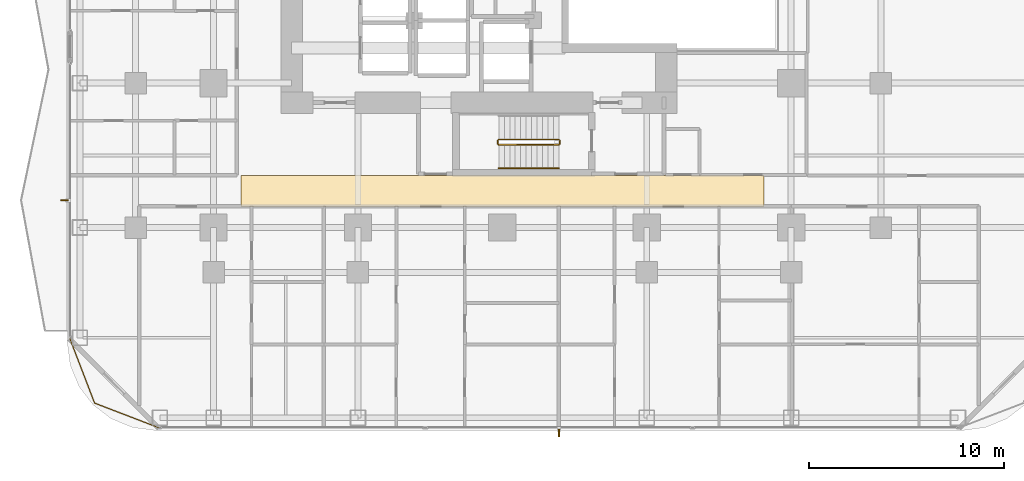
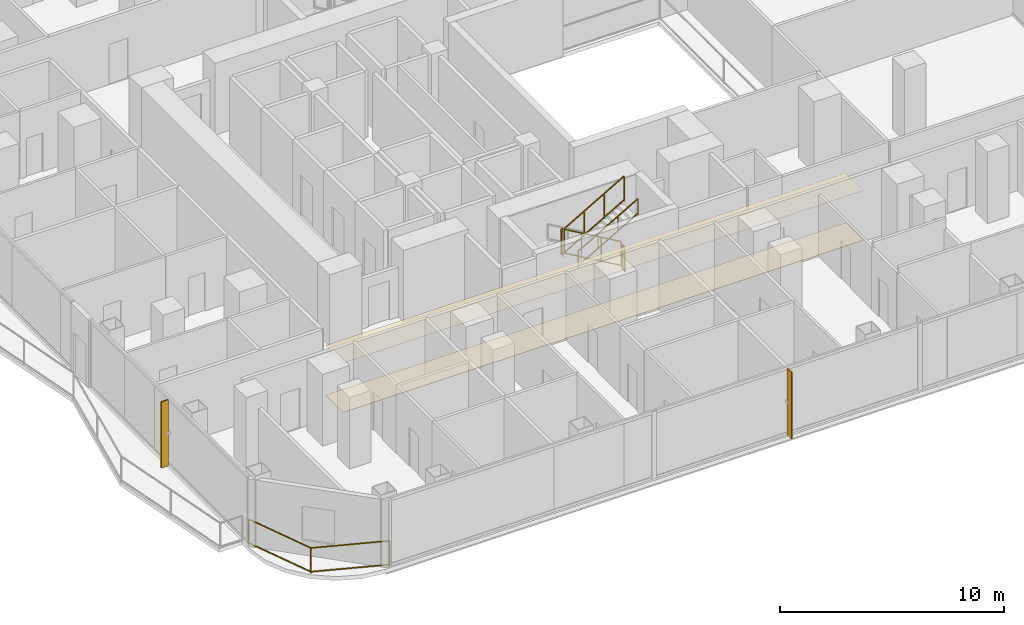
# One storey, part 26 of 30: 6 railings, 2 coverings, 2 shading devices.
"""IFC4 building model written with IfcOpenShell, lengths in metres."""

from ifc_helpers import new_model, si_unit, direction, frame, origin, origin_2d, place, context, subcontext, project, spatial, polyline, rectangle, outline, extrude, material, layer, layer_set, type_object, element, save


model = new_model("IFC4")

# Units and contexts
model_context = context("Model", 3, precision=1e-05, world=origin(), true_north=direction((0.0, 1.0)))
body_context = subcontext(model_context, "Body", "Model", "MODEL_VIEW")
ifc_project = project(units=[si_unit("LENGTHUNIT", "METRE"), si_unit("AREAUNIT", "SQUARE_METRE"), si_unit("VOLUMEUNIT", "CUBIC_METRE"), si_unit("PLANEANGLEUNIT", "RADIAN"), si_unit("MASSUNIT", "GRAM", prefix="KILO")], contexts=[model_context])

# Site, building, storey
site_placement = place(None, origin())
site = spatial("IfcSite", under=ifc_project, at=site_placement, CompositionType="ELEMENT")
building_placement = place(site_placement, origin())
building = spatial("IfcBuilding", under=site, at=building_placement, Name="Khorvyn Point Tower", CompositionType="ELEMENT")
storey_placement = place(building_placement, frame((0.0, 0.0, 30.60009765625)))
storey = spatial("IfcBuildingStorey", under=building, at=storey_placement, Name="L08", CompositionType="ELEMENT", Elevation=30.60009765625)

# Shading devices
ifc_material_1 = material(Name="Bronze anodised aluminium 6063-T6", Category="aluminium")
ifc_layer_1 = layer(ifc_material_1, 0.06494140625)
ifc_layer_set_1 = layer_set([ifc_layer_1], Name="Bronze Anodised Aluminium FIN 380x65")
shading_device_type = type_object("IfcShadingDeviceType", Name="Bronze Anodised Aluminium FIN 380x65", PredefinedType="USERDEFINED", material=ifc_layer_set_1)
for number, where, z_axis, x_axis, name in (
    (1, (2.89990234375, -25.330078125, 0.039794921875), (0.0, 0.0, 1.0), (0.0, -1.0, 0.0), "L08 Anodised FIN 01"),
    (2, (-22.429931640625, -13.406982421875, 0.039794921875), (0.0, 0.0, 1.0), (-1.0, 0.0, 0.0), "L08 Anodised FIN 01"),
):
    element("IfcShadingDevice", number, at=place(storey_placement, frame(where, z_axis=z_axis, x_axis=x_axis)), inside=storey, type_object=shading_device_type, Name=name, ObjectType="FIN", PredefinedType="USERDEFINED", context=body_context, shape_type="SweptSolid", body=[
        extrude(rectangle(XDim=0.3798828125, YDim=0.06494140625, at=origin_2d()), origin(), (0.0, 0.0, 1.0), 3.60009765625),
    ])

# Railing
ifc_material_2 = material(Name="Anodised aluminium 6063-T6 and laminated safety glass", Category="aluminium")
railing_type_1 = type_object("IfcRailingType", Name="Laminated Glass and Aluminium Balcony Guardrail 1400", PredefinedType="BALUSTRADE", material=ifc_material_2)
railing_1_placement = place(storey_placement, frame((-22.174072265625, -20.470703125, 0.0)))
element("IfcRailing", 3, at=railing_1_placement, inside=storey, type_object=railing_type_1, Name="L08 Rounded Corner Edge Guardrail SW", PredefinedType="BALUSTRADE", context=body_context, shape_type="SweptSolid", body=[
    extrude(rectangle(XDim=0.048095703125, YDim=0.048095703125, at=origin_2d()), frame((0.0, 0.0, 1.3759765625), z_axis=(0.358359142172, -0.933583807283, 0.0), x_axis=(0.933583807283, 0.358359142172, 0.0)), (0.0, 0.0, 1.0), 3.56298828125),
    extrude(rectangle(XDim=0.048095703125, YDim=0.048095703125, at=origin_2d()), frame((0.0, 0.0, 0.080078125), z_axis=(0.358359142172, -0.933583807283, 0.0), x_axis=(0.933583807283, 0.358359142172, 0.0)), (0.0, 0.0, 1.0), 3.56298828125),
    extrude(rectangle(XDim=0.048095703125, YDim=0.048095703125, at=origin_2d()), frame((1.27685546875, -3.326416015625, 1.3759765625), z_axis=(0.933583807283, -0.358359142172, 0.0), x_axis=(0.358359142172, 0.933583807283, 0.0)), (0.0, 0.0, 1.0), 3.56298828125),
    extrude(rectangle(XDim=0.048095703125, YDim=0.048095703125, at=origin_2d()), frame((1.27685546875, -3.326416015625, 0.080078125), z_axis=(0.933583807283, -0.358359142172, 0.0), x_axis=(0.358359142172, 0.933583807283, 0.0)), (0.0, 0.0, 1.0), 3.56298828125),
    extrude(rectangle(XDim=0.0419921875, YDim=0.0419921875, at=origin_2d()), origin(), (0.0, 0.0, 1.0), 1.351806640625),
    extrude(rectangle(XDim=0.0419921875, YDim=0.0419921875, at=origin_2d()), frame((1.27685546875, -3.326416015625, 0.0)), (0.0, 0.0, 1.0), 1.351806640625),
    extrude(rectangle(XDim=0.0419921875, YDim=0.0419921875, at=origin_2d()), frame((4.603271484375, -4.603271484375, 0.0)), (0.0, 0.0, 1.0), 1.351806640625),
])

# Coverings
ifc_material_3 = material(Name="Mineral-fibre acoustic ceiling board", Category="gypsum")
ifc_layer_2 = layer(ifc_material_3, 0.02001953125)
ifc_layer_set_2 = layer_set([ifc_layer_2], Name="Perforated Mineral-Fibre Acoustic Suspended Ceiling 20")
covering_type_1 = type_object("IfcCoveringType", Name="Perforated Mineral-Fibre Acoustic Suspended Ceiling 20", PredefinedType="CEILING", material=ifc_layer_set_2)
covering_1_placement = place(storey_placement, frame((0.0, 0.0, 2.699951171875)))
element("IfcCovering", 4, at=covering_1_placement, inside=storey, type_object=covering_type_1, Name="L08 South Corridor Acoustic Ceiling", PredefinedType="CEILING", context=body_context, shape_type="SweptSolid", body=[
    extrude(outline(polyline([(-13.39990234375, -13.7099609375), (13.39990234375, -13.7099609375), (13.39990234375, -12.139892578125), (-13.39990234375, -12.139892578125), (-13.39990234375, -13.7099609375)])), origin(), (0.0, 0.0, 1.0), 0.02001953125),
])
ifc_material_4 = material(Name="Vitrified porcelain terrazzo tile", Category="ceramic")
ifc_layer_3 = layer(ifc_material_4, 0.01806640625)
ifc_layer_set_3 = layer_set([ifc_layer_3], Name="Porcelain Terrazzo Corridor Floor Finish Tile 18")
covering_type_2 = type_object("IfcCoveringType", Name="Porcelain Terrazzo Corridor Floor Finish Tile 18", PredefinedType="FLOORING", material=ifc_layer_set_3)
covering_2_placement = place(storey_placement, origin())
element("IfcCovering", 5, at=covering_2_placement, inside=storey, type_object=covering_type_2, Name="L08 South Corridor Terrazzo Flooring", PredefinedType="FLOORING", context=body_context, shape_type="SweptSolid", body=[
    extrude(outline(polyline([(-13.39990234375, -13.7099609375), (13.39990234375, -13.7099609375), (13.39990234375, -12.139892578125), (-13.39990234375, -12.139892578125), (-13.39990234375, -13.7099609375)])), origin(), (0.0, 0.0, 1.0), 0.017822265625),
])

# Railings
ifc_material_5 = material(Name="Stainless steel 1.4301", Category="steel")
railing_type_2 = type_object("IfcRailingType", Name="Stainless Steel 304 Stair Pitch Handrail 900", PredefinedType="HANDRAIL", material=ifc_material_5)
railing_2_placement = place(storey_placement, frame((-0.179931640625, -11.77001953125, 2.1123046875)))
element("IfcRailing", 6, at=railing_2_placement, inside=storey, type_object=railing_type_2, Name="L08 ST-01 stair handrail 2", PredefinedType="HANDRAIL", context=body_context, shape_type="SweptSolid", body=[
    extrude(rectangle(XDim=0.048095703125, YDim=0.048095703125, at=origin_2d()), frame((0.0, 0.0, 0.8759765625), z_axis=(0.864873446163, 0.0, 0.501989962173), x_axis=(0.0, 1.0, 0.0)), (0.0, 0.0, 1.0), 3.56103515625),
    extrude(rectangle(XDim=0.048095703125, YDim=0.048095703125, at=origin_2d()), frame((0.0, 0.0, 0.080078125), z_axis=(0.864873446163, 0.0, 0.501989962173), x_axis=(0.0, 1.0, 0.0)), (0.0, 0.0, 1.0), 3.56103515625),
    extrude(rectangle(XDim=0.0419921875, YDim=0.0419921875, at=origin_2d()), origin(), (0.0, 0.0, 1.0), 0.851806640625),
    extrude(rectangle(XDim=0.0419921875, YDim=0.0419921875, at=origin_2d()), frame((1.026611328125, 0.0, 0.595947265625)), (0.0, 0.0, 1.0), 0.851806640625),
    extrude(rectangle(XDim=0.0419921875, YDim=0.0419921875, at=origin_2d()), frame((2.05322265625, 0.0, 1.191650390625)), (0.0, 0.0, 1.0), 0.851806640625),
    extrude(rectangle(XDim=0.0419921875, YDim=0.0419921875, at=origin_2d()), frame((3.079833984375, 0.0, 1.78759765625)), (0.0, 0.0, 1.0), 0.851806640625),
])
railing_type_3 = type_object("IfcRailingType", Name="Stainless Steel 304 Stair Well Guardrail 1400", PredefinedType="GUARDRAIL", material=ifc_material_5)
railing_3_placement = place(storey_placement, frame((2.89990234375, -10.2900390625, 0.162353515625)))
element("IfcRailing", 7, at=railing_3_placement, inside=storey, type_object=railing_type_3, Name="L08 ST-01 stair guard 1", PredefinedType="GUARDRAIL", context=body_context, shape_type="SweptSolid", body=[
    extrude(rectangle(XDim=0.048095703125, YDim=0.048095703125, at=origin_2d()), frame((0.0, 0.0, 1.3759765625), z_axis=(-0.864873446163, 0.0, 0.501989962173), x_axis=(0.0, -1.0, 0.0)), (0.0, 0.0, 1.0), 3.56103515625),
    extrude(rectangle(XDim=0.048095703125, YDim=0.048095703125, at=origin_2d()), frame((0.0, 0.0, 0.080078125), z_axis=(-0.864873446163, 0.0, 0.501989962173), x_axis=(0.0, -1.0, 0.0)), (0.0, 0.0, 1.0), 3.56103515625),
    extrude(rectangle(XDim=0.0419921875, YDim=0.0419921875, at=origin_2d()), origin(), (0.0, 0.0, 1.0), 1.351806640625),
    extrude(rectangle(XDim=0.0419921875, YDim=0.0419921875, at=origin_2d()), frame((-1.026611328125, 0.0, 0.595947265625)), (0.0, 0.0, 1.0), 1.351806640625),
    extrude(rectangle(XDim=0.0419921875, YDim=0.0419921875, at=origin_2d()), frame((-2.05322265625, 0.0, 1.191650390625)), (0.0, 0.0, 1.0), 1.351806640625),
    extrude(rectangle(XDim=0.0419921875, YDim=0.0419921875, at=origin_2d()), frame((-3.079833984375, 0.0, 1.78759765625)), (0.0, 0.0, 1.0), 1.351806640625),
])
railing_4_placement = place(storey_placement, frame((-0.22998046875, -10.340087890625, 1.949951171875)))
element("IfcRailing", 8, at=railing_4_placement, inside=storey, type_object=railing_type_3, Name="L08 ST-01 stair guard 2", PredefinedType="GUARDRAIL", context=body_context, shape_type="SweptSolid", body=[
    extrude(rectangle(XDim=0.048095703125, YDim=0.048095703125, at=origin_2d()), frame((0.0, 0.0, 1.3759765625), z_axis=(0.0, -1.0, 0.0), x_axis=(1.0, 0.0, 0.0)), (0.0, 0.0, 1.0), 0.159912109375),
    extrude(rectangle(XDim=0.048095703125, YDim=0.048095703125, at=origin_2d()), frame((0.0, 0.0, 0.080078125), z_axis=(0.0, -1.0, 0.0), x_axis=(1.0, 0.0, 0.0)), (0.0, 0.0, 1.0), 0.159912109375),
    extrude(rectangle(XDim=0.0419921875, YDim=0.0419921875, at=origin_2d()), origin(), (0.0, 0.0, 1.0), 1.351806640625),
    extrude(rectangle(XDim=0.0419921875, YDim=0.0419921875, at=origin_2d()), frame((0.0, -0.159912109375, 0.0)), (0.0, 0.0, 1.0), 1.351806640625),
])
railing_5_placement = place(storey_placement, frame((-0.179931640625, -10.550048828125, 2.1123046875)))
element("IfcRailing", 9, at=railing_5_placement, inside=storey, type_object=railing_type_3, Name="L08 ST-01 stair guard 3", PredefinedType="GUARDRAIL", context=body_context, shape_type="SweptSolid", body=[
    extrude(rectangle(XDim=0.048095703125, YDim=0.048095703125, at=origin_2d()), frame((0.0, 0.0, 1.3759765625), z_axis=(0.864873446163, 0.0, 0.501989962173), x_axis=(0.0, 1.0, 0.0)), (0.0, 0.0, 1.0), 3.56103515625),
    extrude(rectangle(XDim=0.048095703125, YDim=0.048095703125, at=origin_2d()), frame((0.0, 0.0, 0.080078125), z_axis=(0.864873446163, 0.0, 0.501989962173), x_axis=(0.0, 1.0, 0.0)), (0.0, 0.0, 1.0), 3.56103515625),
    extrude(rectangle(XDim=0.0419921875, YDim=0.0419921875, at=origin_2d()), origin(), (0.0, 0.0, 1.0), 1.351806640625),
    extrude(rectangle(XDim=0.0419921875, YDim=0.0419921875, at=origin_2d()), frame((1.026611328125, 0.0, 0.595947265625)), (0.0, 0.0, 1.0), 1.351806640625),
    extrude(rectangle(XDim=0.0419921875, YDim=0.0419921875, at=origin_2d()), frame((2.05322265625, 0.0, 1.191650390625)), (0.0, 0.0, 1.0), 1.351806640625),
    extrude(rectangle(XDim=0.0419921875, YDim=0.0419921875, at=origin_2d()), frame((3.079833984375, 0.0, 1.78759765625)), (0.0, 0.0, 1.0), 1.351806640625),
])
railing_6_placement = place(storey_placement, frame((2.949951171875, -10.340087890625, 0.0)))
element("IfcRailing", 10, at=railing_6_placement, inside=storey, type_object=railing_type_3, Name="L08 ST-01 stair guard 4", PredefinedType="GUARDRAIL", context=body_context, shape_type="SweptSolid", body=[
    extrude(rectangle(XDim=0.048095703125, YDim=0.048095703125, at=origin_2d()), frame((0.0, 0.0, 1.3759765625), z_axis=(0.0, -1.0, 0.0), x_axis=(1.0, 0.0, 0.0)), (0.0, 0.0, 1.0), 0.159912109375),
    extrude(rectangle(XDim=0.048095703125, YDim=0.048095703125, at=origin_2d()), frame((0.0, 0.0, 0.080078125), z_axis=(0.0, -1.0, 0.0), x_axis=(1.0, 0.0, 0.0)), (0.0, 0.0, 1.0), 0.159912109375),
    extrude(rectangle(XDim=0.0419921875, YDim=0.0419921875, at=origin_2d()), origin(), (0.0, 0.0, 1.0), 1.351806640625),
    extrude(rectangle(XDim=0.0419921875, YDim=0.0419921875, at=origin_2d()), frame((0.0, -0.159912109375, 0.0)), (0.0, 0.0, 1.0), 1.351806640625),
])

save(model, "model.ifc")
